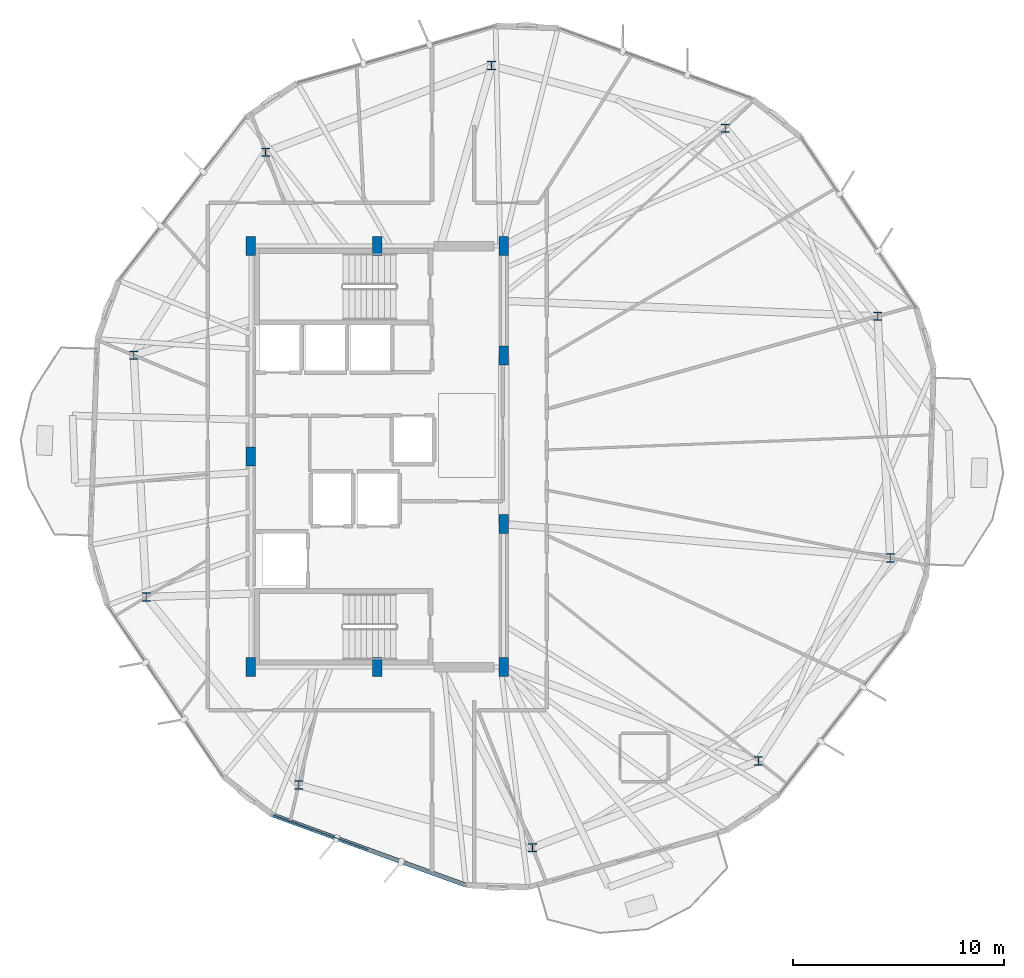
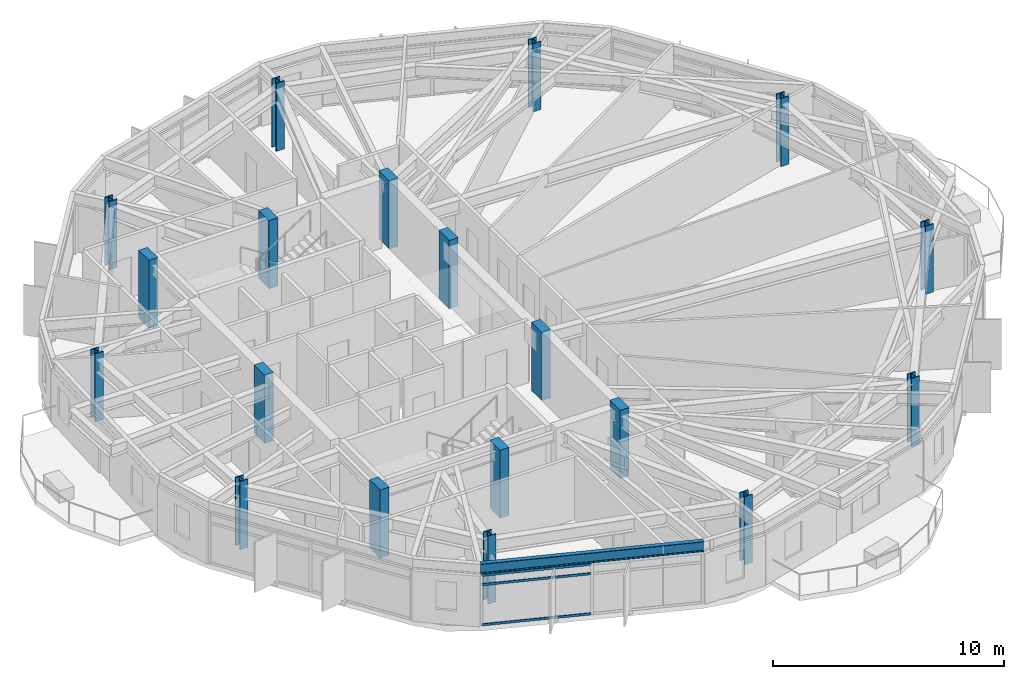
# One storey, part 1 of 30: 19 columns, 3 members, 1 beam, 1 element without a shape of its own.
"""IFC4 building model written with IfcOpenShell, lengths in metres."""

from ifc_helpers import new_model, si_unit, direction, frame, origin, origin_2d, place, context, subcontext, project, spatial, rectangle, hollow_rectangle, i_section, extrude, material, layer, layer_set, material_profile, profile_set, type_object, element, aggregate, save


model = new_model("IFC4")

# Units and contexts
model_context = context("Model", 3, precision=1e-05, world=origin(), true_north=direction((0.0, 1.0)))
body_context = subcontext(model_context, "Body", "Model", "MODEL_VIEW")
ifc_project = project(units=[si_unit("LENGTHUNIT", "METRE"), si_unit("AREAUNIT", "SQUARE_METRE"), si_unit("VOLUMEUNIT", "CUBIC_METRE"), si_unit("PLANEANGLEUNIT", "RADIAN"), si_unit("MASSUNIT", "GRAM", prefix="KILO")], contexts=[model_context])

# Site, building, storey
site_placement = place(None, origin())
site = spatial("IfcSite", under=ifc_project, at=site_placement, CompositionType="ELEMENT")
building_placement = place(site_placement, origin())
building = spatial("IfcBuilding", under=site, at=building_placement, Name="Soratama Intermodal Tower", CompositionType="ELEMENT")
storey_placement = place(building_placement, frame((0.0, 0.0, 223.0)))
storey = spatial("IfcBuildingStorey", under=building, at=storey_placement, Name="L56", CompositionType="ELEMENT", Elevation=223.0)

# Columns
ifc_material_1 = material(Name="Structural steel ASTM A992 Grade 50", Category="steel")
ifc_material_profile_1 = material_profile(ifc_material_1, i_section(OverallWidth=0.406005859375, OverallDepth=0.416015625, WebThickness=0.02978515625, FlangeThickness=0.048095703125, FilletRadius=0.0380859375, at=origin_2d()), Name="W14X257")
ifc_profile_set_1 = profile_set([ifc_material_profile_1], Name="Structural steel ASTM A992 Grade 50")
column_type_1 = type_object("IfcColumnType", Name="COL-ZD-W14X257", PredefinedType="COLUMN", material=ifc_profile_set_1)
for number, where, z_axis, x_axis, name in (
    (1, (62.364501953125, 31.66552734375, 0.0), (0.0, 0.0, 1.0), (1.0, 0.0, 0.0), "L56 Tower Ring Column R01"),
    (2, (55.13037109375, 40.599365234375, 0.0), (0.0, 0.0, 1.0), (1.0, 0.0, 0.0), "L56 Tower Ring Column R02"),
    (3, (44.026611328125, 43.574462890625, 0.0), (0.0, 0.0, 1.0), (1.0, 0.0, 0.0), "L56 Tower Ring Column R03"),
    (4, (33.294677734375, 39.454833984375, 0.0), (0.0, 0.0, 1.0), (1.0, 0.0, 0.0), "L56 Tower Ring Column R04"),
    (5, (27.03369140625, 29.81396484375, 0.0), (0.0, 0.0, 1.0), (1.0, 0.0, 0.0), "L56 Tower Ring Column R05"),
    (6, (27.635498046875, 18.33447265625, 0.0), (0.0, 0.0, 1.0), (1.0, 0.0, 0.0), "L56 Tower Ring Column R06"),
    (7, (34.86962890625, 9.400634765625, 0.0), (0.0, 0.0, 1.0), (1.0, 0.0, 0.0), "L56 Tower Ring Column R07"),
    (8, (45.973388671875, 6.425537109375, 0.0), (0.0, 0.0, 1.0), (1.0, 0.0, 0.0), "L56 Tower Ring Column R08"),
    (9, (56.705322265625, 10.545166015625, 0.0), (0.0, 0.0, 1.0), (1.0, 0.0, 0.0), "L56 Tower Ring Column R09"),
    (10, (62.96630859375, 20.18603515625, 0.0), (0.0, 0.0, 1.0), (1.0, 0.0, 0.0), "L56 Tower Ring Column R10"),
):
    element("IfcColumn", number, at=place(storey_placement, frame(where, z_axis=z_axis, x_axis=x_axis)), inside=storey, type_object=column_type_1, Name=name, PredefinedType="COLUMN", context=body_context, shape_type="SweptSolid", body=[
        extrude(i_section(OverallWidth=0.406005859375, OverallDepth=0.416015625, WebThickness=0.02978515625, FlangeThickness=0.048095703125, FilletRadius=0.0380859375, at=origin_2d()), origin(), (0.0, 0.0, 1.0), 3.60009765625),
    ])
ifc_material_2 = material(Name="Concrete f'c 56 MPa", Category="concrete")
ifc_material_profile_2 = material_profile(ifc_material_2, rectangle(XDim=0.449951171875, YDim=0.89990234375, at=origin_2d()), Name="RC450X900")
ifc_profile_set_2 = profile_set([ifc_material_profile_2], Name="Concrete f'c 56 MPa")
column_type_2 = type_object("IfcColumnType", Name="PIL-CORE-450X900", PredefinedType="PILASTER", material=ifc_profile_set_2)
for number, where, z_axis, x_axis, name in (
    (11, (32.60009765625, 15.0, 0.0), (0.0, 0.0, 1.0), (1.0, 0.0, 0.0), "L56 Core Pilaster 1"),
    (12, (32.60009765625, 25.0, 0.0), (0.0, 0.0, 1.0), (1.0, 0.0, 0.0), "L56 Core Pilaster 2"),
    (13, (32.60009765625, 35.0, 0.0), (0.0, 0.0, 1.0), (1.0, 0.0, 0.0), "L56 Core Pilaster 3"),
    (14, (38.60009765625, 15.0, 0.0), (0.0, 0.0, 1.0), (1.0, 0.0, 0.0), "L56 Core Pilaster 4"),
    (15, (38.60009765625, 35.0, 0.0), (0.0, 0.0, 1.0), (1.0, 0.0, 0.0), "L56 Core Pilaster 5"),
    (16, (44.60009765625, 15.0, 0.0), (0.0, 0.0, 1.0), (1.0, 0.0, 0.0), "L56 Core Pilaster 6"),
    (17, (44.60009765625, 21.800048828125, 0.0), (0.0, 0.0, 1.0), (1.0, 0.0, 0.0), "L56 Core Pilaster 7"),
    (18, (44.60009765625, 29.800048828125, 0.0), (0.0, 0.0, 1.0), (1.0, 0.0, 0.0), "L56 Core Pilaster 8"),
    (19, (44.60009765625, 35.0, 0.0), (0.0, 0.0, 1.0), (1.0, 0.0, 0.0), "L56 Core Pilaster 9"),
):
    element("IfcColumn", number, at=place(storey_placement, frame(where, z_axis=z_axis, x_axis=x_axis)), inside=storey, type_object=column_type_2, Name=name, PredefinedType="PILASTER", context=body_context, shape_type="SweptSolid", body=[
        extrude(rectangle(XDim=0.449951171875, YDim=0.89990234375, at=origin_2d()), origin(), (0.0, 0.0, 1.0), 3.60009765625),
    ])

# Beam
ifc_material_3 = material(Name="Structural steel ASTM A992 Grade 50", Category="steel")
ifc_material_profile_3 = material_profile(ifc_material_3, i_section(OverallWidth=0.2099609375, OverallDepth=0.537109375, WebThickness=0.010986328125, FlangeThickness=0.017333984375, FilletRadius=0.012939453125, at=origin_2d()), Name="W21X68")
ifc_profile_set_3 = profile_set([ifc_material_profile_3], Name="Structural steel ASTM A992 Grade 50")
beam_type = type_object("IfcBeamType", Name="BM-SPN-W21X68", PredefinedType="SPANDREL", material=ifc_profile_set_3)
beam_placement = place(storey_placement, frame((33.60400390625, 7.992919921875, 3.031494140625), z_axis=(0.939808700762, -0.34170104766, 0.0), x_axis=(0.34170104766, 0.939808700762, 0.0)))
element("IfcBeam", 20, at=beam_placement, inside=storey, type_object=beam_type, Name="BS-L56-F06", PredefinedType="SPANDREL", context=body_context, shape_type="SweptSolid", body=[
    extrude(i_section(OverallWidth=0.2099609375, OverallDepth=0.537109375, WebThickness=0.010986328125, FlangeThickness=0.017333984375, FilletRadius=0.012939453125, at=origin_2d()), origin(), (0.0, 0.0, 1.0), 9.7978515625),
])

# Curtain wall, members
ifc_material_4 = material(Name="Double-glazed aluminium curtain wall", Category="aluminium")
ifc_layer = layer(ifc_material_4, 0.159912109375)
ifc_layer_set = layer_set([ifc_layer], Name="Double-glazed aluminium curtain wall")
curtain_wall_type = type_object("IfcCurtainWallType", Name="CW-SYS-5", PredefinedType="NOTDEFINED", material=ifc_layer_set)
curtain_wall_placement = place(storey_placement, origin())
curtain_wall = element("IfcCurtainWall", 21, at=curtain_wall_placement, inside=storey, type_object=curtain_wall_type, Name="L56 Faceted Curtain Wall F06", PredefinedType="NOTDEFINED")
ifc_material_5 = material(Name="Anodised aluminium AA 6063-T6", Category="aluminium")
ifc_material_profile_4 = material_profile(ifc_material_5, hollow_rectangle(XDim=0.06005859375, YDim=0.1298828125, WallThickness=0.0048828125, InnerFilletRadius=0.0048828125, OuterFilletRadius=0.010009765625, at=origin_2d()), Name="CWT130X60X5")
ifc_profile_set_4 = profile_set([ifc_material_profile_4], Name="Anodised aluminium AA 6063-T6")
member_type = type_object("IfcMemberType", Name="TT-CWT-2", PredefinedType="USERDEFINED", material=ifc_profile_set_4)
member_1_placement = place(storey_placement, frame((33.66064453125, 7.97265625, 0.030029296875), z_axis=(0.939814174693, -0.34168599188, 0.0), x_axis=(0.34168599188, 0.939814174693, 0.0)))
member_1 = element("IfcMember", 22, at=member_1_placement, type_object=member_type, Name="CW-5 transom 1.1", ObjectType="TRANSOM", PredefinedType="USERDEFINED", context=body_context, shape_type="SweptSolid", body=[
    extrude(hollow_rectangle(XDim=0.06005859375, YDim=0.1298828125, WallThickness=0.0048828125, InnerFilletRadius=0.0048828125, OuterFilletRadius=0.010009765625, at=origin_2d()), origin(), (0.0, 0.0, 1.0), 4.80859375),
])
member_2_placement = place(storey_placement, frame((33.66064453125, 7.97265625, 2.14990234375), z_axis=(0.939814174693, -0.34168599188, 0.0), x_axis=(0.34168599188, 0.939814174693, 0.0)))
member_2 = element("IfcMember", 23, at=member_2_placement, type_object=member_type, Name="CW-5 transom 1.2", ObjectType="TRANSOM", PredefinedType="USERDEFINED", context=body_context, shape_type="SweptSolid", body=[
    extrude(hollow_rectangle(XDim=0.06005859375, YDim=0.1298828125, WallThickness=0.0048828125, InnerFilletRadius=0.0048828125, OuterFilletRadius=0.010009765625, at=origin_2d()), origin(), (0.0, 0.0, 1.0), 4.80859375),
])
member_3_placement = place(storey_placement, frame((33.66064453125, 7.97265625, 2.64892578125), z_axis=(0.939814174693, -0.34168599188, 0.0), x_axis=(0.34168599188, 0.939814174693, 0.0)))
member_3 = element("IfcMember", 24, at=member_3_placement, type_object=member_type, Name="CW-5 transom 1.3", ObjectType="TRANSOM", PredefinedType="USERDEFINED", context=body_context, shape_type="SweptSolid", body=[
    extrude(hollow_rectangle(XDim=0.06005859375, YDim=0.1298828125, WallThickness=0.0048828125, InnerFilletRadius=0.0048828125, OuterFilletRadius=0.010009765625, at=origin_2d()), origin(), (0.0, 0.0, 1.0), 4.80859375),
])
aggregate(curtain_wall, [member_1, member_2, member_3])

save(model, "model.ifc")
